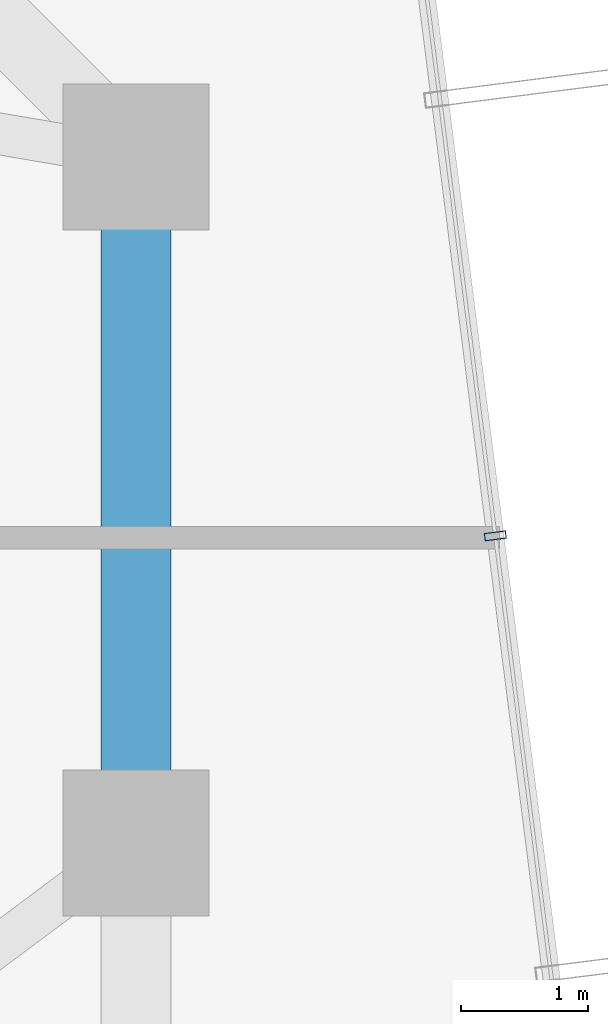
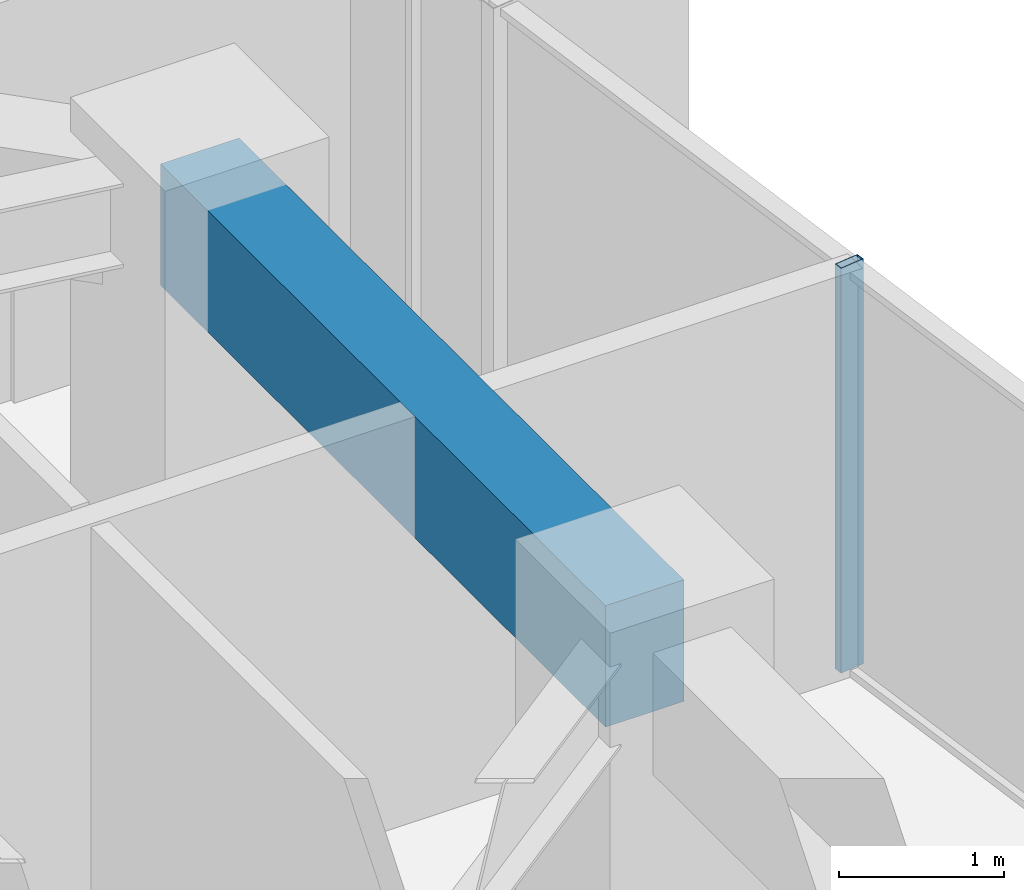
# One storey, part 16 of 33: 1 beam, 1 member, 1 element without a shape of its own.
"""IFC4 building model written with IfcOpenShell, lengths in metres."""

import ifcopenshell
import ifcopenshell.guid

model = None  # the IFC model being written
_history = None  # IfcOwnerHistory: only IFC2X3 demands one
_inside = {}  # id of a spatial element -> (the spatial element, [elements in it])
_under = {}  # id of a project, library or spatial element -> (it, [spatial elements below it])
_declared = {}  # id of a project -> (the project, [libraries it declares])
_typed = {}  # id of a type object -> (the type object, [elements of that type])
_made_of = {}  # id of a material, layer set ... -> (it, [elements and type objects made of it])


def new_model(schema):
    """Start an empty IFC model of exactly this schema.

    Asked for "IFC4X3", IfcOpenShell would pick the latest addendum, in which some entities
    have other attributes; the version numbers below select the first issue.
    IFC2X3 requires an IfcOwnerHistory on every rooted entity: one is made here for all.
    """
    global model, _history
    if schema == "IFC4X3":
        model = ifcopenshell.file(schema_version=(4, 3, 0, 0))
    else:
        model = ifcopenshell.file(schema=schema)
    _inside.clear()
    _under.clear()
    _declared.clear()
    _typed.clear()
    _made_of.clear()
    _history = None
    if model.schema == "IFC2X3":
        org = make("IfcOrganization", Name="unknown")
        user = make(
            "IfcPersonAndOrganization",
            ThePerson=make("IfcPerson", FamilyName="unknown"),
            TheOrganization=org,
        )
        app = make(
            "IfcApplication",
            ApplicationDeveloper=org,
            Version="unknown",
            ApplicationFullName="unknown",
            ApplicationIdentifier="unknown",
        )
        _history = make(
            "IfcOwnerHistory",
            OwningUser=user,
            OwningApplication=app,
            ChangeAction="ADDED",
            CreationDate=0,
        )
    return model


def make(cls, **values):
    """One entity of the class cls with the attributes given. An attribute that is None is left unset."""
    return model.create_entity(
        cls, **{name: value for name, value in values.items() if value is not None}
    )


def rooted(cls, **values):
    """An entity with a GlobalId (a new one), such as an element, a storey or a relation."""
    return make(cls, GlobalId=ifcopenshell.guid.new(), OwnerHistory=_history, **values)


def si_unit(unit_type, name, prefix=None):
    """IfcSIUnit, for example si_unit("LENGTHUNIT", "METRE", prefix="MILLI")."""
    return make("IfcSIUnit", UnitType=unit_type, Prefix=prefix, Name=name)


def assignment(units):
    """IfcUnitAssignment: the units of a project."""
    return None if units is None else make("IfcUnitAssignment", Units=units)


def point(xyz):
    """IfcCartesianPoint."""
    return None if xyz is None else make("IfcCartesianPoint", Coordinates=xyz)


def direction(xyz):
    """IfcDirection."""
    return None if xyz is None else make("IfcDirection", DirectionRatios=xyz)


def frame(location, z_axis=None, x_axis=None):
    """IfcAxis2Placement3D, a coordinate frame: its origin and axes. An axis left out is left unset."""
    return make(
        "IfcAxis2Placement3D",
        Location=point(location),
        Axis=direction(z_axis),
        RefDirection=direction(x_axis),
    )


def frame_2d(location, x_axis=None):
    """IfcAxis2Placement2D, a coordinate frame in the plane: its origin and x axis."""
    return make(
        "IfcAxis2Placement2D", Location=point(location), RefDirection=direction(x_axis)
    )


def origin():
    """The frame at (0, 0, 0) with its axes left unset."""
    return frame((0.0, 0.0, 0.0))


def origin_2d():
    """The frame at (0, 0) in the plane with its x axis left unset."""
    return frame_2d((0.0, 0.0))


def place(relative_to, where):
    """IfcLocalPlacement: puts the frame where relative to a parent placement (None: the world)."""
    return make(
        "IfcLocalPlacement", PlacementRelTo=relative_to, RelativePlacement=where
    )


def context(
    kind, dimensions, precision=None, world=None, true_north=None, identifier=None
):
    """IfcGeometricRepresentationContext, for example the 3D "Model" context."""
    return make(
        "IfcGeometricRepresentationContext",
        ContextIdentifier=identifier,
        ContextType=kind,
        CoordinateSpaceDimension=dimensions,
        Precision=precision,
        WorldCoordinateSystem=world,
        TrueNorth=true_north,
    )


def subcontext(parent, identifier, kind, view, scale=None):
    """IfcGeometricRepresentationSubContext, for example "Body" below "Model"."""
    return make(
        "IfcGeometricRepresentationSubContext",
        ContextIdentifier=identifier,
        ContextType=kind,
        ParentContext=parent,
        TargetScale=scale,
        TargetView=view,
    )


def project(units=None, contexts=None):
    """IfcProject with its units and contexts."""
    return rooted(
        "IfcProject",
        Name="project",
        RepresentationContexts=contexts,
        UnitsInContext=assignment(units),
    )


def spatial(cls, under=None, at=None, **own):
    """A site, building, storey or space (cls), placed at a placement, below another one or the project."""
    s = rooted(cls, ObjectPlacement=at, **own)
    if under is not None:
        _under.setdefault(under.id(), (under, []))[1].append(s)
    return s


def profile(cls, at=None, kind="AREA", **sizes):
    """A parametric profile (cls). Its sizes go by their IFC names, for example OverallWidth=200.0."""
    return make(cls, ProfileType=kind, Position=at, **sizes)


def rectangle(**sizes):
    """IfcRectangleProfileDef."""
    return profile("IfcRectangleProfileDef", **sizes)


def hollow_rectangle(**sizes):
    """IfcRectangleHollowProfileDef."""
    return profile("IfcRectangleHollowProfileDef", **sizes)


def extrude(swept, where, along, depth):
    """IfcExtrudedAreaSolid: the profile swept, set in the frame where, extruded along a direction by depth."""
    return make(
        "IfcExtrudedAreaSolid",
        SweptArea=swept,
        Position=where,
        ExtrudedDirection=direction(along),
        Depth=depth,
    )


def shape(context_of_items, identifier, shape_type, items):
    """IfcShapeRepresentation: the items that make up one representation, for example the "Body"."""
    return make(
        "IfcShapeRepresentation",
        ContextOfItems=context_of_items,
        RepresentationIdentifier=identifier,
        RepresentationType=shape_type,
        Items=items,
    )


def source(mapping_origin, context_of_items, identifier, shape_type, items):
    """IfcRepresentationMap: a shape defined once, which mapped items show again and again."""
    return make(
        "IfcRepresentationMap",
        MappingOrigin=mapping_origin,
        MappedRepresentation=shape(context_of_items, identifier, shape_type, items),
    )


def transform(
    local_origin,
    x_axis=None,
    y_axis=None,
    z_axis=None,
    scale=None,
    scale2=None,
    scale3=None,
    uniform=True,
):
    """IfcCartesianTransformationOperator3D, or its non-uniform kind. x_axis, y_axis, z_axis: its Axis1, 2, 3."""
    if uniform:
        return make(
            "IfcCartesianTransformationOperator3D",
            Axis1=direction(x_axis),
            Axis2=direction(y_axis),
            LocalOrigin=point(local_origin),
            Scale=scale,
            Axis3=direction(z_axis),
        )
    return make(
        "IfcCartesianTransformationOperator3DnonUniform",
        Axis1=direction(x_axis),
        Axis2=direction(y_axis),
        LocalOrigin=point(local_origin),
        Scale=scale,
        Axis3=direction(z_axis),
        Scale2=scale2,
        Scale3=scale3,
    )


def mapped(mapping_source, mapping_target):
    """IfcMappedItem: shows the shape of a source again, moved by a transform."""
    return make(
        "IfcMappedItem", MappingSource=mapping_source, MappingTarget=mapping_target
    )


def material(Name=None, Category=None):
    """IfcMaterial."""
    return make("IfcMaterial", Name=Name, Category=Category)


def layer(
    of_material, thickness, ventilated=None, Name=None, Category=None, Priority=None
):
    """IfcMaterialLayer: one layer of a wall or slab, of a material (None: an air gap)."""
    return make(
        "IfcMaterialLayer",
        Material=of_material,
        LayerThickness=thickness,
        IsVentilated=ventilated,
        Name=Name,
        Category=Category,
        Priority=Priority,
    )


def layer_set(layers, Name=None):
    """IfcMaterialLayerSet."""
    return make("IfcMaterialLayerSet", MaterialLayers=layers, LayerSetName=Name)


def material_profile(
    of_material, cross_section, Name=None, Category=None, Priority=None
):
    """IfcMaterialProfile: a cross section and its material."""
    return make(
        "IfcMaterialProfile",
        Name=Name,
        Material=of_material,
        Profile=cross_section,
        Priority=Priority,
        Category=Category,
    )


def profile_set(profiles, Name=None, composite=None):
    """IfcMaterialProfileSet."""
    return make(
        "IfcMaterialProfileSet",
        Name=Name,
        MaterialProfiles=profiles,
        CompositeProfile=composite,
    )


def made_of(thing, what):
    """Note that an element or type object is made of a material, layer set ...; save() writes the relation."""
    if what is not None:
        _made_of.setdefault(what.id(), (what, []))[1].append(thing)
    return thing


def type_object(cls, material=None, **own):
    """A type object (cls), such as IfcWallType, which elements share."""
    return made_of(rooted(cls, **own), material)


def element(
    cls,
    number,
    at=None,
    inside=None,
    cuts=None,
    type_object=None,
    material=None,
    context=None,
    identifier="Body",
    shape_type=None,
    held_by="IfcProductDefinitionShape",
    body=None,
    shapes=None,
    **own,
):
    """One element of the class cls, such as IfcWall. Its Tag is "e" and its number.

    at: its placement. inside: the storey or other place that contains it. cuts: it is an
    opening in that element (IfcRelVoidsElement). A single representation is given by context,
    identifier, shape_type and body (its items); several are given by shapes. held_by: the class
    of the entity that holds the representations. save() writes the other relations.
    """
    e = rooted(cls, Tag="e%d" % number, ObjectPlacement=at, **own)
    if body is not None:
        shapes = [shape(context, identifier, shape_type, body)]
    if shapes is not None:
        e.Representation = make(held_by, Representations=shapes)
    if inside is not None:
        _inside.setdefault(inside.id(), (inside, []))[1].append(e)
    if cuts is not None:
        rooted(
            "IfcRelVoidsElement", RelatingBuildingElement=cuts, RelatedOpeningElement=e
        )
    if type_object is not None:
        _typed.setdefault(type_object.id(), (type_object, []))[1].append(e)
    return made_of(e, material)


def aggregate(whole, parts):
    """IfcRelAggregates: a whole, such as a stair, and the parts it consists of."""
    return rooted("IfcRelAggregates", RelatingObject=whole, RelatedObjects=parts)


def save(model, path):
    """Write the relations noted so far, then the file.

    IfcRelAggregates (storeys below a building ...), IfcRelContainedInSpatialStructure (elements
    in a storey), IfcRelDefinesByType, IfcRelAssociatesMaterial and IfcRelDeclares: one each for
    every whole, place, type object, material and project.
    """
    for whole, parts in _under.values():
        aggregate(whole, parts)
    for where, things in _inside.values():
        rooted(
            "IfcRelContainedInSpatialStructure",
            RelatedElements=things,
            RelatingStructure=where,
        )
    for kind, things in _typed.values():
        rooted("IfcRelDefinesByType", RelatedObjects=things, RelatingType=kind)
    for what, things in _made_of.values():
        rooted("IfcRelAssociatesMaterial", RelatedObjects=things, RelatingMaterial=what)
    for by, libraries in _declared.values():
        rooted("IfcRelDeclares", RelatingContext=by, RelatedDefinitions=libraries)
    model.write(path)


model = new_model("IFC4")

# Units and contexts
model_context = context("Model", 3, precision=1e-05, world=origin(), true_north=direction((0.0, 1.0)))
body_context = subcontext(model_context, "Body", "Model", "MODEL_VIEW")
ifc_project = project(units=[si_unit("LENGTHUNIT", "METRE"), si_unit("AREAUNIT", "SQUARE_METRE"), si_unit("VOLUMEUNIT", "CUBIC_METRE"), si_unit("PLANEANGLEUNIT", "RADIAN"), si_unit("MASSUNIT", "GRAM", prefix="KILO")], contexts=[model_context])

# Site, building, storey
site_placement = place(None, origin())
site = spatial("IfcSite", under=ifc_project, at=site_placement, CompositionType="ELEMENT")
building_placement = place(site_placement, origin())
building = spatial("IfcBuilding", under=site, at=building_placement, Name="Veraguas Prism Commons", CompositionType="ELEMENT")
storey_placement = place(building_placement, frame((0.0, 0.0, 152.25)))
storey = spatial("IfcBuildingStorey", under=building, at=storey_placement, Name="L43", CompositionType="ELEMENT", Elevation=152.25)

# Beam
ifc_material_1 = material(Name="Concrete C50/60", Category="concrete")
ifc_material_profile_1 = material_profile(ifc_material_1, rectangle(XDim=0.550048828125, YDim=0.89990234375, at=origin_2d()), Name="RC550X900")
ifc_profile_set_1 = profile_set([ifc_material_profile_1], Name="Concrete C50/60")
beam_type = type_object("IfcBeamType", Name="Perimeter Spandrel Lower RC 550x900", PredefinedType="SPANDREL", material=ifc_profile_set_1)
beam_placement = place(storey_placement, frame((40.199951171875, 24.0, 2.550048828125), z_axis=(0.0, 1.0, 0.0), x_axis=(-1.0, 0.0, 0.0)))
element("IfcBeam", 1, at=beam_placement, inside=storey, type_object=beam_type, Name="Perimeter Spandrel Beam L43-SP02", PredefinedType="SPANDREL", context=body_context, shape_type="SweptSolid", body=[
    extrude(rectangle(XDim=0.550048828125, YDim=0.89990234375, at=origin_2d()), origin(), (0.0, 0.0, 1.0), 5.39990234375),
])

# Curtain wall, member
ifc_material_2 = material(Name="Anodised aluminium EN AW-6063 T6", Category="aluminium")
ifc_layer = layer(ifc_material_2, 0.169921875, Name="Unitised Flush Curtain Wall Zone 2", Category="aluminium")
ifc_layer_set = layer_set([ifc_layer], Name="Anodised aluminium EN AW-6063 T6")
curtain_wall_type = type_object("IfcCurtainWallType", Name="Unitised Flush Curtain Wall Zone 2", PredefinedType="NOTDEFINED", material=ifc_layer_set)
curtain_wall_placement = place(storey_placement, origin())
curtain_wall = element("IfcCurtainWall", 2, at=curtain_wall_placement, inside=storey, type_object=curtain_wall_type, Name="Tower Facade Curtain Wall L43-F6", PredefinedType="NOTDEFINED")
ifc_material_profile_2 = material_profile(ifc_material_2, hollow_rectangle(XDim=0.06005859375, YDim=0.169921875, WallThickness=0.00390625, at=origin_2d()), Name="AL60X170X4")
ifc_profile_set_2 = profile_set([ifc_material_profile_2], Name="Anodised aluminium EN AW-6063 T6")
member_type = type_object("IfcMemberType", Name="Curtain Wall Mullion Lower AL 60x170x4", PredefinedType="MULLION", material=ifc_profile_set_2)
shared_shape = source(origin(), body_context, "Body", "SweptSolid", [
    extrude(hollow_rectangle(XDim=0.06005859375, YDim=0.169921875, WallThickness=0.00390625, at=origin_2d()), origin(), (0.0, 0.0, 1.0), 3.0),
])
member_placement = place(storey_placement, frame((43.029541015625, 26.41748046875, 0.0), z_axis=(0.0, 0.0, 1.0), x_axis=(-0.126020635446, 0.992027620302, 0.0)))
member = element("IfcMember", 3, at=member_placement, type_object=member_type, Name="CW-Z2 Mullion 3", PredefinedType="MULLION", context=body_context, shape_type="MappedRepresentation", body=[
    mapped(shared_shape, transform((0.0, 0.0, 0.0), scale=1.0)),
])
aggregate(curtain_wall, [member])

save(model, "model.ifc")
